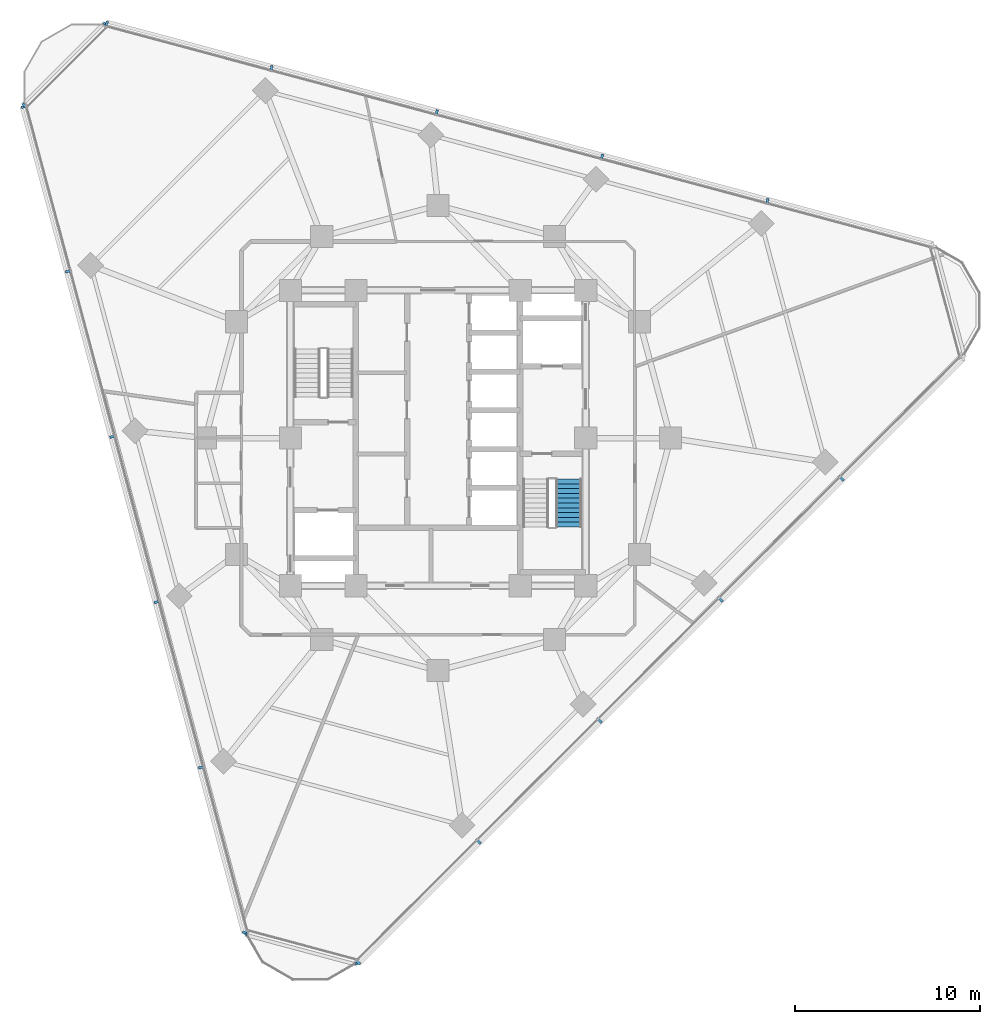
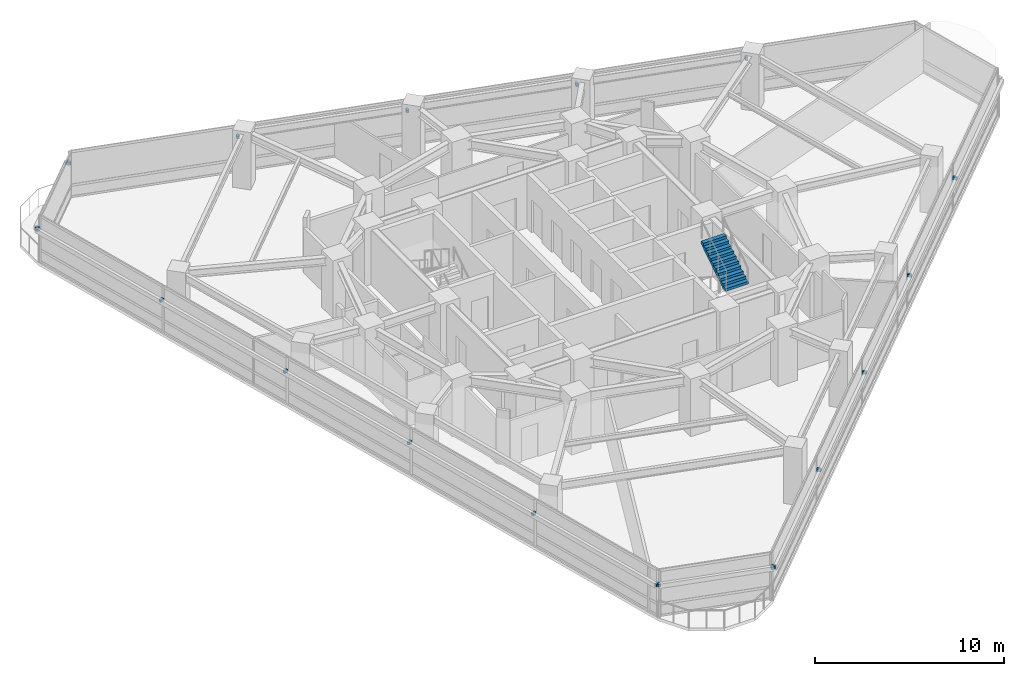
# One storey, part 9 of 13: 20 discrete accessories, 1 stair flight, 1 element without a shape of its own.
"""IFC4 building model written with IfcOpenShell, lengths in metres."""

from ifc_helpers import new_model, si_unit, direction, frame, origin, origin_2d, place, context, subcontext, project, spatial, polyline, rectangle, outline, extrude, material, type_object, element, aggregate, save


model = new_model("IFC4")

# Units and contexts
model_context = context("Model", 3, precision=1e-05, world=origin(), true_north=direction((0.0, 1.0)))
body_context = subcontext(model_context, "Body", "Model", "MODEL_VIEW")
ifc_project = project(units=[si_unit("LENGTHUNIT", "METRE"), si_unit("AREAUNIT", "SQUARE_METRE"), si_unit("VOLUMEUNIT", "CUBIC_METRE"), si_unit("PLANEANGLEUNIT", "RADIAN"), si_unit("MASSUNIT", "GRAM", prefix="KILO")], contexts=[model_context])

# Site, building, storey
site_placement = place(None, origin())
site = spatial("IfcSite", under=ifc_project, at=site_placement, CompositionType="ELEMENT")
building_placement = place(site_placement, origin())
building = spatial("IfcBuilding", under=site, at=building_placement, Name="Terralouvre Media Tower", CompositionType="ELEMENT")
storey_placement = place(building_placement, frame((0.0, 0.0, 195.300048828125)))
storey = spatial("IfcBuildingStorey", under=building, at=storey_placement, Name="L50", CompositionType="ELEMENT", Elevation=195.300048828125)

# Stair, stair flight
ifc_material_1 = material(Name="Concrete C45/55", Category="concrete")
stair_type = type_object("IfcStairType", Name="Dogleg Stair Assembly ST-02", PredefinedType="HALF_TURN_STAIR", material=ifc_material_1)
stair_placement = place(storey_placement, origin())
stair = element("IfcStair", 1, at=stair_placement, inside=storey, type_object=stair_type, Name="L50 Core Pressurised Exit Stair ST-02", PredefinedType="HALF_TURN_STAIR")
ifc_material_2 = material(Name="Concrete C45/55", Category="concrete")
stair_flight_type = type_object("IfcStairFlightType", Name="Reinforced Concrete Stair Flight SF-RC1", PredefinedType="STRAIGHT", material=ifc_material_2)
stair_flight_placement = place(storey_placement, frame((7.080078125, -4.820068359375, 1.849853515625), z_axis=(0.0, 0.0, 1.0), x_axis=(0.0, 1.0, 0.0)))
stair_flight = element("IfcStairFlight", 2, at=stair_flight_placement, type_object=stair_flight_type, Name="ST-02 flight 2", NumberOfRisers=11, NumberOfTreads=10, PredefinedType="STRAIGHT", RiserHeight=0.168181818, TreadLength=0.26, context=body_context, shape_type="SweptSolid", body=[
    extrude(outline(polyline([(0.0, 0.0), (0.0, 0.168212890625), (0.260009765625, 0.168212890625), (0.260009765625, 0.33642578125), (0.52001953125, 0.33642578125), (0.52001953125, 0.504638671875), (0.780029296875, 0.504638671875), (0.780029296875, 0.672607421875), (1.0400390625, 0.672607421875), (1.0400390625, 0.8408203125), (1.300048828125, 0.8408203125), (1.300048828125, 1.009033203125), (1.56005859375, 1.009033203125), (1.56005859375, 1.17724609375), (1.820068359375, 1.17724609375), (1.820068359375, 1.345458984375), (2.080078125, 1.345458984375), (2.080078125, 1.513671875), (2.340087890625, 1.513671875), (2.340087890625, 1.681884765625), (2.60009765625, 1.681884765625), (2.60009765625, 1.85009765625), (2.60009765625, 1.503173828125), (0.27587890625, 0.0), (0.0, 0.0)])), frame((0.0, 0.699951171875, 0.0), z_axis=(0.0, -1.0, 0.0), x_axis=(1.0, 0.0, 0.0)), (0.0, 0.0, 1.0), 1.39990234375),
])
aggregate(stair, [stair_flight])

# Discrete accessories
ifc_material_3 = material(Name="Anodised extruded aluminium 6063-T6", Category="aluminium")
discrete_accessory_type = type_object("IfcDiscreteAccessoryType", Name="Mullion Stand-Off Baguette Fixing Bracket BK-01", PredefinedType="BRACKET", material=ifc_material_3)
for number, where, z_axis, x_axis, name in (
    (3, (-4.31298828125, -28.41552734375, 2.07421875), (0.0, 0.0, 1.0), (0.707106781187, 0.707106781187, 0.0), "CW-L50-F0 Baguette Outrigger Bracket 1.01"),
    (4, (2.216796875, -21.8857421875, 2.07421875), (0.0, 0.0, 1.0), (0.707106781187, 0.707106781187, 0.0), "CW-L50-F0 Baguette Outrigger Bracket 1.02"),
    (5, (8.77294921875, -15.329345703125, 2.07421875), (0.0, 0.0, 1.0), (0.707106781187, 0.707106781187, 0.0), "CW-L50-F0 Baguette Outrigger Bracket 1.03"),
    (6, (15.329345703125, -8.77294921875, 2.07421875), (0.0, 0.0, 1.0), (0.707106781187, 0.707106781187, 0.0), "CW-L50-F0 Baguette Outrigger Bracket 1.04"),
    (7, (21.8857421875, -2.216796875, 2.07421875), (0.0, 0.0, 1.0), (0.707106781187, 0.707106781187, 0.0), "CW-L50-F0 Baguette Outrigger Bracket 1.05"),
    (8, (17.84521484375, 12.862548828125, 2.07421875), (0.0, 0.0, 1.0), (-0.96592582942, 0.25881903342, 0.0), "CW-L50-F1 Baguette Outrigger Bracket 1.02"),
    (9, (8.88916015625, 15.262451171875, 2.07421875), (0.0, 0.0, 1.0), (-0.96592582942, 0.25881903342, 0.0), "CW-L50-F1 Baguette Outrigger Bracket 1.03"),
    (10, (-0.06689453125, 17.662109375, 2.07421875), (0.0, 0.0, 1.0), (-0.96592582942, 0.25881903342, 0.0), "CW-L50-F1 Baguette Outrigger Bracket 1.04"),
    (11, (-9.02294921875, 20.06201171875, 2.07421875), (0.0, 0.0, 1.0), (-0.96592582942, 0.25881903342, 0.0), "CW-L50-F1 Baguette Outrigger Bracket 1.05"),
    (12, (-17.94287109375, 22.451904296875, 2.07421875), (0.0, 0.0, 1.0), (-0.96592582942, 0.25881903342, 0.0), "CW-L50-F1 Baguette Outrigger Bracket 1.06"),
    (13, (-22.451904296875, 17.94287109375, 2.07421875), (0.0, 0.0, 1.0), (0.25881903342, -0.96592582942, 0.0), "CW-L50-F2 Baguette Outrigger Bracket 1.01"),
    (14, (-20.06201171875, 9.02294921875, 2.07421875), (0.0, 0.0, 1.0), (0.25881903342, -0.96592582942, 0.0), "CW-L50-F2 Baguette Outrigger Bracket 1.02"),
    (15, (-17.662109375, 0.06689453125, 2.07421875), (0.0, 0.0, 1.0), (0.25881903342, -0.96592582942, 0.0), "CW-L50-F2 Baguette Outrigger Bracket 1.03"),
    (16, (-15.262451171875, -8.88916015625, 2.07421875), (0.0, 0.0, 1.0), (0.25881903342, -0.96592582942, 0.0), "CW-L50-F2 Baguette Outrigger Bracket 1.04"),
    (17, (-12.862548828125, -17.84521484375, 2.07421875), (0.0, 0.0, 1.0), (0.25881903342, -0.96592582942, 0.0), "CW-L50-F2 Baguette Outrigger Bracket 1.05"),
    (18, (-10.472412109375, -26.764892578125, 2.07421875), (0.0, 0.0, 1.0), (0.25881903342, -0.96592582942, 0.0), "CW-L50-F2 Baguette Outrigger Bracket 1.06"),
    (19, (-10.39306640625, -26.81982421875, 2.07421875), (0.0, 0.0, 1.0), (0.965925911218, -0.258818728144, 0.0), "CW-L50-C0 Baguette Outrigger Bracket 1.01"),
    (20, (-4.4091796875, -28.42333984375, 2.07421875), (0.0, 0.0, 1.0), (0.965925911218, -0.258818728144, 0.0), "CW-L50-C0 Baguette Outrigger Bracket 1.02"),
    (21, (-18.030029296875, 22.41064453125, 2.07421875), (0.0, 0.0, 1.0), (-0.707106781187, -0.707106781187, 0.0), "CW-L50-C2 Baguette Outrigger Bracket 1.01"),
    (22, (-22.41064453125, 18.030029296875, 2.07421875), (0.0, 0.0, 1.0), (-0.707106781187, -0.707106781187, 0.0), "CW-L50-C2 Baguette Outrigger Bracket 1.02"),
):
    element("IfcDiscreteAccessory", number, at=place(storey_placement, frame(where, z_axis=z_axis, x_axis=x_axis)), inside=storey, type_object=discrete_accessory_type, Name=name, PredefinedType="BRACKET", context=body_context, shape_type="SweptSolid", body=[
        extrude(rectangle(XDim=0.139892578125, YDim=0.239990234375, at=origin_2d()), origin(), (0.0, 0.0, 1.0), 0.179931640625),
    ])

save(model, "model.ifc")
